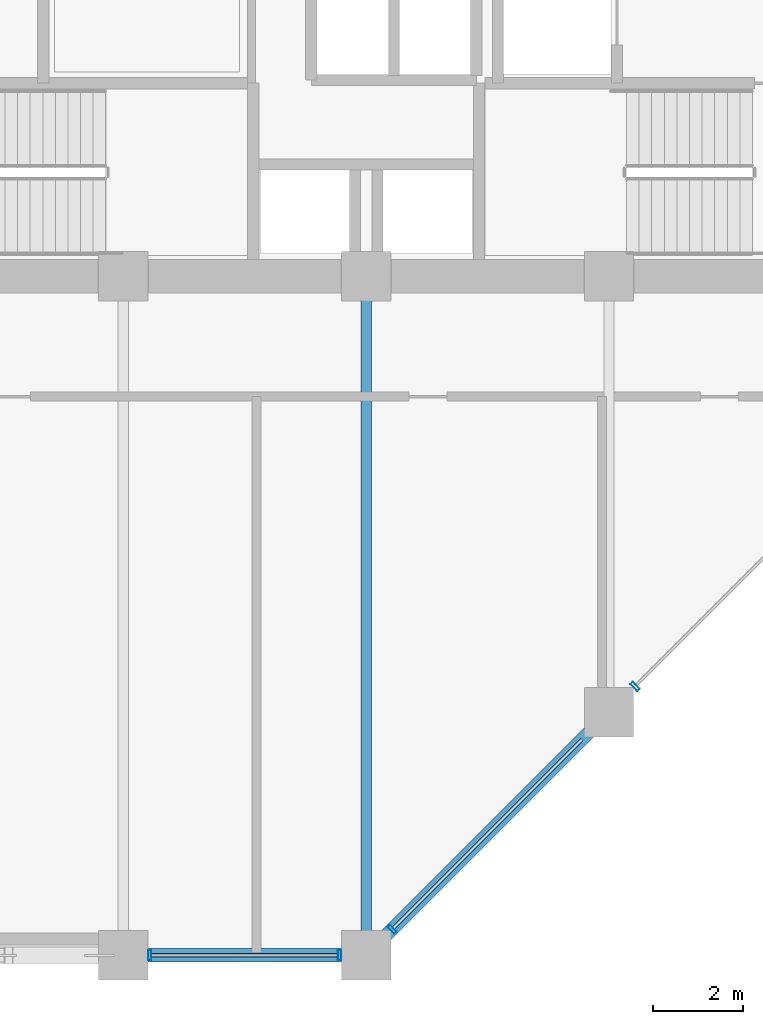
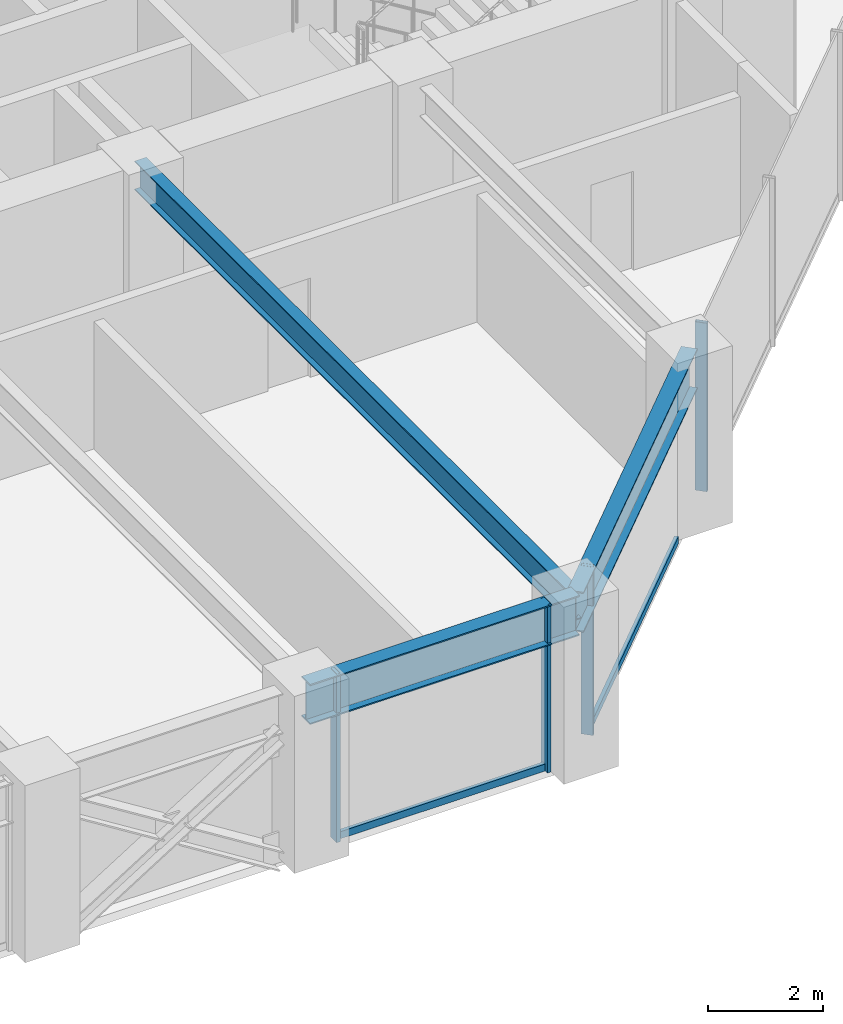
# One storey, part 8 of 29: 6 members, 3 beams, 2 elements without a shape of their own.
"""IFC4 building model written with IfcOpenShell, lengths in metres."""

from ifc_helpers import new_model, si_unit, direction, frame, origin, origin_2d, place, context, subcontext, project, spatial, hollow_rectangle, i_section, extrude, material, layer, layer_set, material_profile, profile_set, type_object, element, aggregate, save


model = new_model("IFC4")

# Units and contexts
model_context = context("Model", 3, precision=1e-05, world=origin(), true_north=direction((0.0, 1.0)))
body_context = subcontext(model_context, "Body", "Model", "MODEL_VIEW")
ifc_project = project(units=[si_unit("LENGTHUNIT", "METRE"), si_unit("AREAUNIT", "SQUARE_METRE"), si_unit("VOLUMEUNIT", "CUBIC_METRE"), si_unit("PLANEANGLEUNIT", "RADIAN"), si_unit("MASSUNIT", "GRAM", prefix="KILO")], contexts=[model_context])

# Site, building, storey
site_placement = place(None, origin())
site = spatial("IfcSite", under=ifc_project, at=site_placement, CompositionType="ELEMENT")
building_placement = place(site_placement, origin())
building = spatial("IfcBuilding", under=site, at=building_placement, Name="Surkhivell Harbour Commons", CompositionType="ELEMENT")
storey_placement = place(building_placement, frame((0.0, 0.0, 90.75)))
storey = spatial("IfcBuildingStorey", under=building, at=storey_placement, Name="L23", CompositionType="ELEMENT", Elevation=90.75)

# Beams
ifc_material_1 = material(Name="Steel S355", Category="steel")
ifc_material_profile_1 = material_profile(ifc_material_1, i_section(OverallWidth=0.22998046875, OverallDepth=0.616943359375, WebThickness=0.01318359375, FlangeThickness=0.022216796875, at=origin_2d()), Name="UB610x229x140")
ifc_profile_set_1 = profile_set([ifc_material_profile_1], Name="Steel S355")
beam_type_1 = type_object("IfcBeamType", Name="BM-GRD-610B", PredefinedType="BEAM", material=ifc_profile_set_1)
beam_1_placement = place(storey_placement, frame((0.0, -25.89990234375, 3.261474609375), z_axis=(0.0, 1.0, 0.0), x_axis=(-1.0, 0.0, 0.0)))
element("IfcBeam", 1, at=beam_1_placement, inside=storey, type_object=beam_type_1, Name="L23 Floor Girder (0.0,-25.9)", PredefinedType="BEAM", context=body_context, shape_type="SweptSolid", body=[
    extrude(i_section(OverallWidth=0.22998046875, OverallDepth=0.616943359375, WebThickness=0.01318359375, FlangeThickness=0.022216796875, at=origin_2d()), origin(), (0.0, 0.0, 1.0), 15.099853515625),
])
ifc_material_2 = material(Name="Steel S460", Category="steel")
ifc_material_profile_2 = material_profile(ifc_material_2, i_section(OverallWidth=0.2939453125, OverallDepth=0.85107421875, WebThickness=0.01611328125, FlangeThickness=0.02685546875, at=origin_2d()), Name="UB838x292x226")
ifc_profile_set_2 = profile_set([ifc_material_profile_2], Name="Steel S460")
beam_type_2 = type_object("IfcBeamType", Name="BM-SPN-838", PredefinedType="SPANDREL", material=ifc_profile_set_2)
beam_2_placement = place(storey_placement, frame((-5.39990234375, -25.89990234375, 3.14453125), z_axis=(1.0, 0.0, 0.0), x_axis=(0.0, 1.0, 0.0)))
element("IfcBeam", 2, at=beam_2_placement, inside=storey, type_object=beam_type_2, Name="L23 Tube Spandrel (-5.4,-25.9)", PredefinedType="SPANDREL", context=body_context, shape_type="SweptSolid", body=[
    extrude(i_section(OverallWidth=0.2939453125, OverallDepth=0.85107421875, WebThickness=0.01611328125, FlangeThickness=0.02685546875, at=origin_2d()), origin(), (0.0, 0.0, 1.0), 5.39990234375),
])
beam_3_placement = place(storey_placement, frame((0.0, -25.89990234375, 3.14453125), z_axis=(0.707106781187, 0.707106781187, 0.0), x_axis=(-0.707106781187, 0.707106781187, 0.0)))
element("IfcBeam", 3, at=beam_3_placement, inside=storey, type_object=beam_type_2, Name="L23 Tube Spandrel (-0.0,-25.9)", PredefinedType="SPANDREL", context=body_context, shape_type="SweptSolid", body=[
    extrude(i_section(OverallWidth=0.2939453125, OverallDepth=0.85107421875, WebThickness=0.01611328125, FlangeThickness=0.02685546875, at=origin_2d()), origin(), (0.0, 0.0, 1.0), 7.63671875),
])

# Curtain wall, members
ifc_material_3 = material(Name="Anodised pale-metal aluminium and insulated glazing", Category="aluminium")
ifc_layer = layer(ifc_material_3, 0.205078125)
ifc_layer_set = layer_set([ifc_layer], Name="Anodised pale-metal aluminium and insulated glazing")
curtain_wall_type = type_object("IfcCurtainWallType", Name="CW-SYS-Z2", PredefinedType="NOTDEFINED", material=ifc_layer_set)
curtain_wall_1_placement = place(storey_placement, origin())
curtain_wall_1 = element("IfcCurtainWall", 4, at=curtain_wall_1_placement, inside=storey, type_object=curtain_wall_type, Name="L23 Curtain Wall CW-L23-E00S2", PredefinedType="NOTDEFINED")
ifc_material_4 = material(Name="Anodised pale-metal aluminium alloy 6063-T6", Category="aluminium")
ifc_material_profile_3 = material_profile(ifc_material_4, hollow_rectangle(XDim=0.074951171875, YDim=0.219970703125, WallThickness=0.00390625, at=origin_2d()), Name="ALU-MULL-75x220")
ifc_profile_set_3 = profile_set([ifc_material_profile_3], Name="Anodised pale-metal aluminium alloy 6063-T6")
member_type_1 = type_object("IfcMemberType", Name="CWM-220", PredefinedType="MULLION", material=ifc_profile_set_3)
member_1_placement = place(storey_placement, frame((-4.810546875, -25.89990234375, 0.0), z_axis=(0.0, 0.0, 1.0), x_axis=(1.0, 0.0, 0.0)))
member_1 = element("IfcMember", 5, at=member_1_placement, type_object=member_type_1, Name="CW-Z2 mullion 1", PredefinedType="MULLION", context=body_context, shape_type="SweptSolid", body=[
    extrude(hollow_rectangle(XDim=0.074951171875, YDim=0.219970703125, WallThickness=0.00390625, at=origin_2d()), origin(), (0.0, 0.0, 1.0), 3.570068359375),
])
member_2_placement = place(storey_placement, frame((-0.589599609375, -25.89990234375, 0.0), z_axis=(0.0, 0.0, 1.0), x_axis=(1.0, 0.0, 0.0)))
member_2 = element("IfcMember", 6, at=member_2_placement, type_object=member_type_1, Name="CW-Z2 mullion 2", PredefinedType="MULLION", context=body_context, shape_type="SweptSolid", body=[
    extrude(hollow_rectangle(XDim=0.074951171875, YDim=0.219970703125, WallThickness=0.00390625, at=origin_2d()), origin(), (0.0, 0.0, 1.0), 3.570068359375),
])

curtain_wall_2_placement = place(storey_placement, origin())
curtain_wall_2 = element("IfcCurtainWall", 7, at=curtain_wall_2_placement, inside=storey, type_object=curtain_wall_type, Name="L23 Curtain Wall CW-L23-E01", PredefinedType="NOTDEFINED")
member_3_placement = place(storey_placement, frame((0.578125, -25.32177734375, 0.0), z_axis=(0.0, 0.0, 1.0), x_axis=(0.707106781187, 0.707106781187, 0.0)))
member_3 = element("IfcMember", 8, at=member_3_placement, type_object=member_type_1, Name="CW-Z2 mullion 1", PredefinedType="MULLION", context=body_context, shape_type="SweptSolid", body=[
    extrude(hollow_rectangle(XDim=0.074951171875, YDim=0.219970703125, WallThickness=0.00390625, at=origin_2d()), origin(), (0.0, 0.0, 1.0), 3.570068359375),
])
member_4_placement = place(storey_placement, frame((5.978271484375, -19.921875, 0.0), z_axis=(0.0, 0.0, 1.0), x_axis=(0.707106781187, 0.707106781187, 0.0)))
member_4 = element("IfcMember", 9, at=member_4_placement, type_object=member_type_1, Name="CW-Z2 mullion 2", PredefinedType="MULLION", context=body_context, shape_type="SweptSolid", body=[
    extrude(hollow_rectangle(XDim=0.074951171875, YDim=0.219970703125, WallThickness=0.00390625, at=origin_2d()), origin(), (0.0, 0.0, 1.0), 3.570068359375),
])

# Member
ifc_material_profile_4 = material_profile(ifc_material_4, hollow_rectangle(XDim=0.074951171875, YDim=0.14990234375, WallThickness=0.00341796875, at=origin_2d()), Name="ALU-TRAN-75x150")
ifc_profile_set_4 = profile_set([ifc_material_profile_4], Name="Anodised pale-metal aluminium alloy 6063-T6")
member_type_2 = type_object("IfcMemberType", Name="CWT-150", PredefinedType="USERDEFINED", material=ifc_profile_set_4)
member_5_placement = place(storey_placement, frame((-4.77294921875, -25.89990234375, 0.074951171875), z_axis=(1.0, 0.0, 0.0), x_axis=(0.0, 1.0, 0.0)))
member_5 = element("IfcMember", 10, at=member_5_placement, type_object=member_type_2, Name="CW-Z2 transom 1.1", ObjectType="TRANSOM", PredefinedType="USERDEFINED", context=body_context, shape_type="SweptSolid", body=[
    extrude(hollow_rectangle(XDim=0.074951171875, YDim=0.14990234375, WallThickness=0.00341796875, at=origin_2d()), origin(), (0.0, 0.0, 1.0), 4.14599609375),
])

aggregate(curtain_wall_1, [member_1, member_2, member_5])

member_6_placement = place(storey_placement, frame((0.604736328125, -25.295166015625, 0.074951171875), z_axis=(0.707106781187, 0.707106781187, 0.0), x_axis=(-0.707106781187, 0.707106781187, 0.0)))
member_6 = element("IfcMember", 11, at=member_6_placement, type_object=member_type_2, Name="CW-Z2 transom 1.1", ObjectType="TRANSOM", PredefinedType="USERDEFINED", context=body_context, shape_type="SweptSolid", body=[
    extrude(hollow_rectangle(XDim=0.074951171875, YDim=0.14990234375, WallThickness=0.00341796875, at=origin_2d()), origin(), (0.0, 0.0, 1.0), 5.92626953125),
])

aggregate(curtain_wall_2, [member_3, member_6, member_4])

save(model, "model.ifc")
